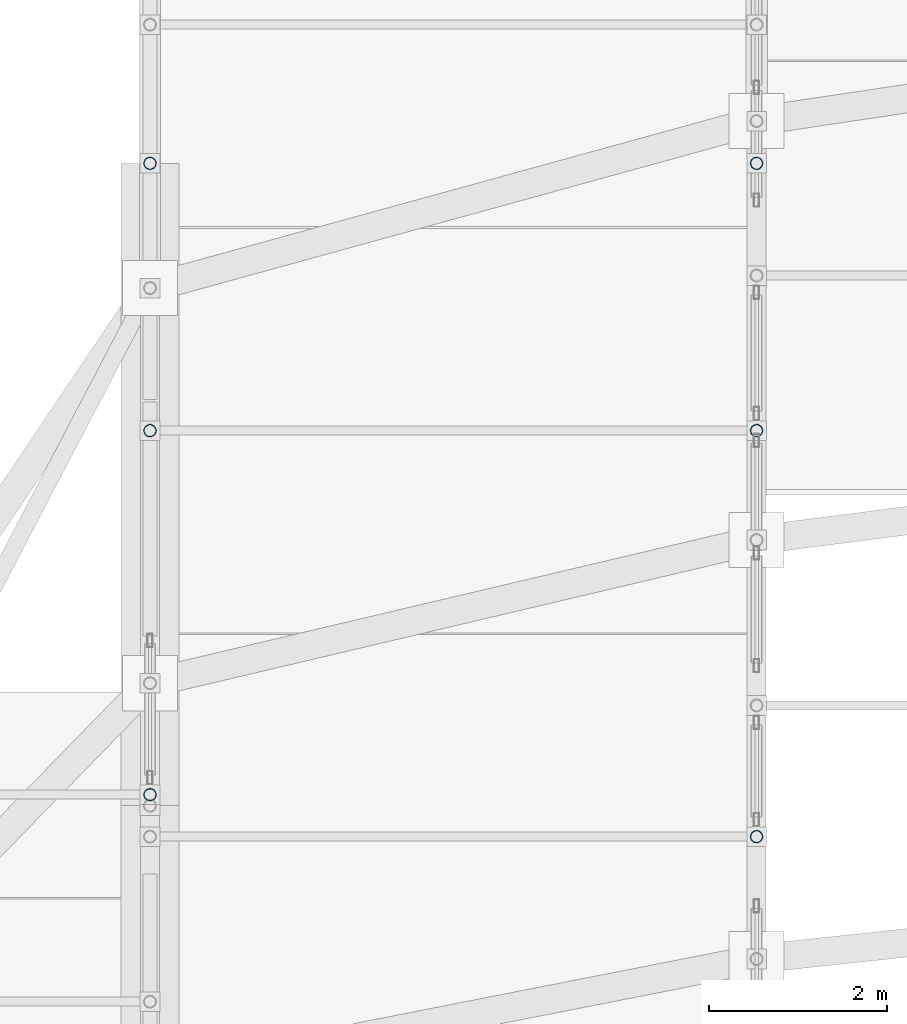
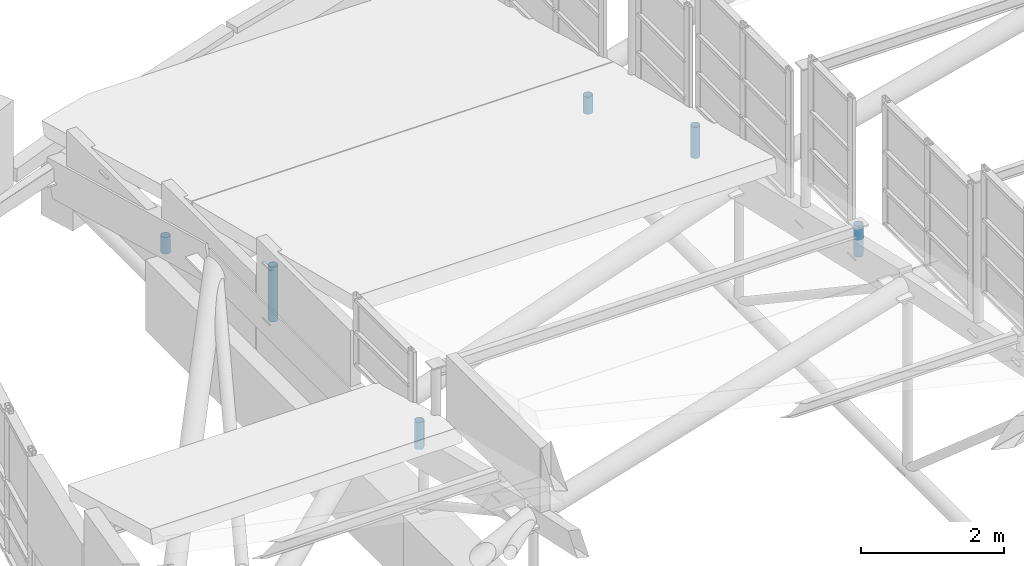
# One storey, part 144 of 188: 6 members.
"""IFC4 building model written with IfcOpenShell, lengths in metres."""

from ifc_helpers import new_model, si_unit, direction, frame, origin, origin_2d, place, context, subcontext, project, spatial, hollow_circle, extrude, material, material_profile, profile_set, type_object, element, save


model = new_model("IFC4")

# Units and contexts
model_context = context("Model", 3, precision=1e-05, world=origin(), true_north=direction((0.0, 1.0)))
body_context = subcontext(model_context, "Body", "Model", "MODEL_VIEW")
ifc_project = project(units=[si_unit("LENGTHUNIT", "METRE"), si_unit("AREAUNIT", "SQUARE_METRE"), si_unit("VOLUMEUNIT", "CUBIC_METRE"), si_unit("PLANEANGLEUNIT", "RADIAN"), si_unit("MASSUNIT", "GRAM", prefix="KILO")], contexts=[model_context])

# Site, building, storey
site_placement = place(None, origin())
site = spatial("IfcSite", under=ifc_project, at=site_placement, CompositionType="ELEMENT")
building_placement = place(site_placement, origin())
building = spatial("IfcBuilding", under=site, at=building_placement, Name="Kisaragi Civic Commons", CompositionType="ELEMENT")
storey_placement = place(building_placement, frame((0.0, 0.0, 9.60009765625)))
storey = spatial("IfcBuildingStorey", under=building, at=storey_placement, Name="L02", CompositionType="ELEMENT", Elevation=9.60009765625)

# Members
ifc_material = material(Name="Steel SN490 (SN490B)", Category="steel")
ifc_material_profile = material_profile(ifc_material, hollow_circle(Radius=0.06982421875, WallThickness=0.006103515625, at=origin_2d()), Name="CHS-139.8x6.0", Category="steel")
ifc_profile_set = profile_set([ifc_material_profile], Name="Steel SN490 (SN490B)")
member_type = type_object("IfcMemberType", Name="ST-H1", PredefinedType="STRUT", material=ifc_profile_set)
member_1_placement = place(storey_placement, frame((6.800048828125, 111.60009765625, -0.02001953125), z_axis=(0.0, 0.0, 1.0), x_axis=(1.0, 0.0, 0.0)))
element("IfcMember", 1, at=member_1_placement, inside=storey, type_object=member_type, Name="V2 interior column arch support post (6.8,111.6)", PredefinedType="STRUT", context=body_context, shape_type="SweptSolid", body=[
    extrude(hollow_circle(Radius=0.06982421875, WallThickness=0.006103515625, at=origin_2d()), origin(), (0.0, 0.0, 1.0), 0.281982421875),
])
member_2_placement = place(storey_placement, frame((13.60009765625, 111.60009765625, -0.02001953125), z_axis=(0.0, 0.0, 1.0), x_axis=(1.0, 0.0, 0.0)))
element("IfcMember", 2, at=member_2_placement, inside=storey, type_object=member_type, Name="V2 interior column arch support post (13.6,111.6)", PredefinedType="STRUT", context=body_context, shape_type="SweptSolid", body=[
    extrude(hollow_circle(Radius=0.06982421875, WallThickness=0.006103515625, at=origin_2d()), origin(), (0.0, 0.0, 1.0), 0.291015625),
])
member_3_placement = place(storey_placement, frame((6.800048828125, 104.523193359375, 0.94384765625), z_axis=(0.0, 0.0, 1.0), x_axis=(1.0, 0.0, 0.0)))
element("IfcMember", 3, at=member_3_placement, inside=storey, type_object=member_type, Name="V2 clerestory monitor horizontal tie strut 1.1.8", PredefinedType="STRUT", context=body_context, shape_type="SweptSolid", body=[
    extrude(hollow_circle(Radius=0.06982421875, WallThickness=0.006103515625, at=origin_2d()), origin(), (0.0, 0.0, 1.0), 0.46044921875),
])
member_4_placement = place(storey_placement, frame((13.60009765625, 104.052490234375, 2.124755859375), z_axis=(0.0, 0.0, 1.0), x_axis=(1.0, 0.0, 0.0)))
element("IfcMember", 4, at=member_4_placement, inside=storey, type_object=member_type, Name="V2 clerestory monitor horizontal tie strut 2.2.6", PredefinedType="STRUT", context=body_context, shape_type="SweptSolid", body=[
    extrude(hollow_circle(Radius=0.06982421875, WallThickness=0.006103515625, at=origin_2d()), origin(), (0.0, 0.0, 1.0), 0.524658203125),
])
member_5_placement = place(storey_placement, frame((6.800048828125, 108.60400390625, 0.641357421875), z_axis=(0.0, 0.0, 1.0), x_axis=(1.0, 0.0, 0.0)))
element("IfcMember", 5, at=member_5_placement, inside=storey, type_object=member_type, Name="V2 clerestory monitor horizontal tie strut 2.1.7", PredefinedType="STRUT", context=body_context, shape_type="SweptSolid", body=[
    extrude(hollow_circle(Radius=0.06982421875, WallThickness=0.006103515625, at=origin_2d()), origin(), (0.0, 0.0, 1.0), 0.93310546875),
])
member_6_placement = place(storey_placement, frame((13.60009765625, 108.60400390625, 1.044677734375), z_axis=(0.0, 0.0, 1.0), x_axis=(1.0, 0.0, 0.0)))
element("IfcMember", 6, at=member_6_placement, inside=storey, type_object=member_type, Name="V2 clerestory monitor horizontal tie strut 2.2.7", PredefinedType="STRUT", context=body_context, shape_type="SweptSolid", body=[
    extrude(hollow_circle(Radius=0.06982421875, WallThickness=0.006103515625, at=origin_2d()), origin(), (0.0, 0.0, 1.0), 0.52978515625),
])

save(model, "model.ifc")
